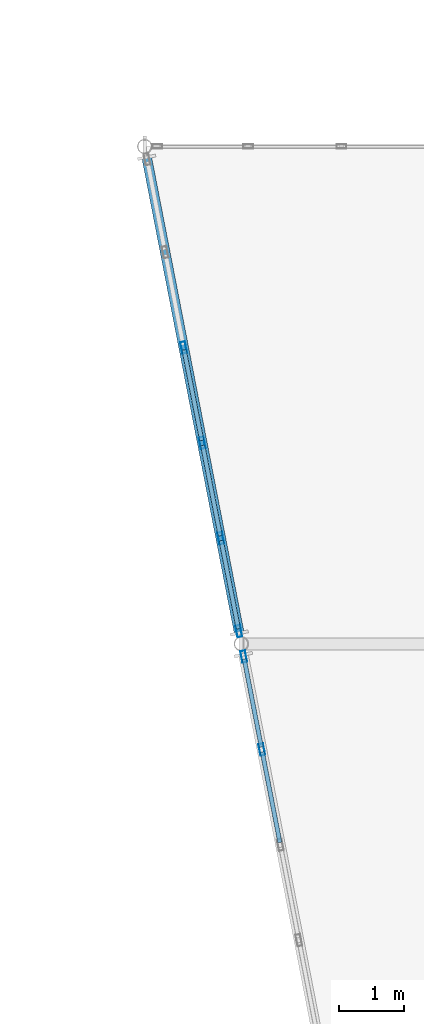
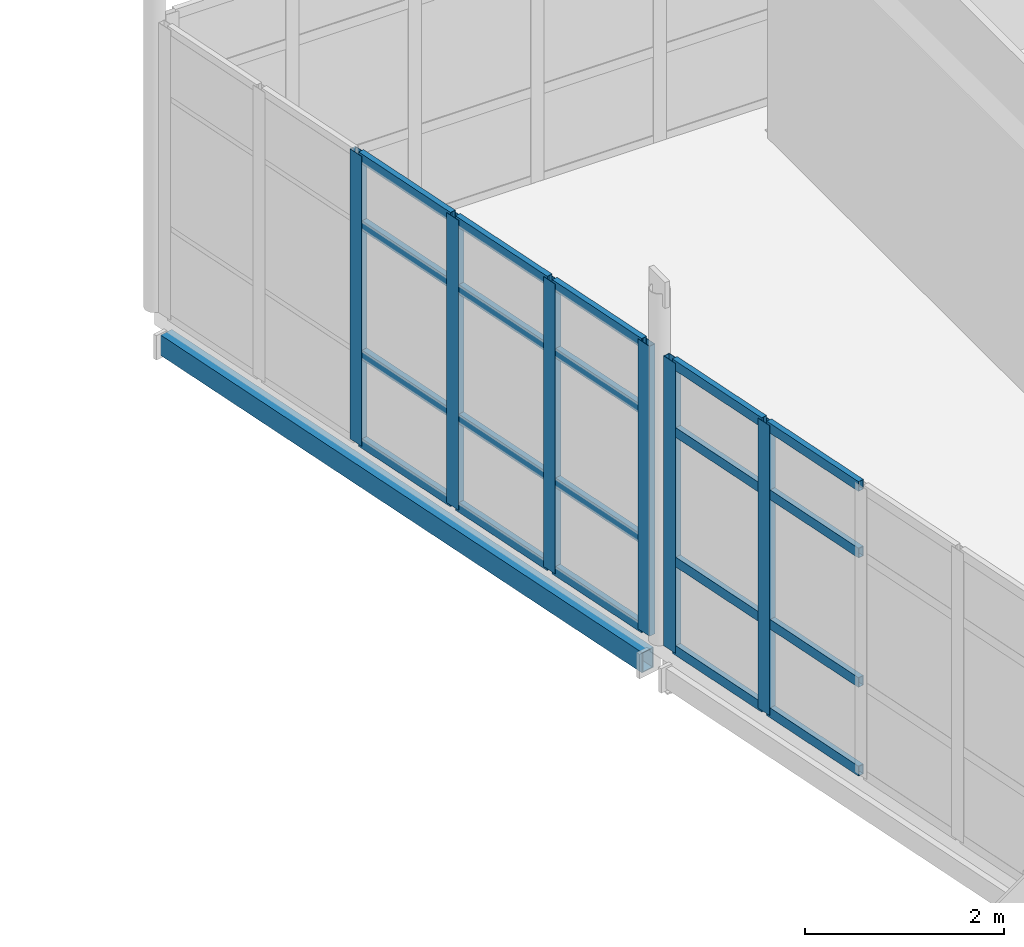
# One storey, part 100 of 166: 26 members, 1 beam, 2 elements without a shape of their own.
"""IFC4 building model written with IfcOpenShell, lengths in metres."""

from ifc_helpers import new_model, si_unit, direction, frame, origin, origin_2d, place, context, subcontext, project, spatial, hollow_rectangle, extrude, material, material_profile, profile_set, type_object, element, aggregate, save


model = new_model("IFC4")

# Units and contexts
model_context = context("Model", 3, precision=1e-05, world=origin(), true_north=direction((0.0, 1.0)))
body_context = subcontext(model_context, "Body", "Model", "MODEL_VIEW")
ifc_project = project(units=[si_unit("LENGTHUNIT", "METRE"), si_unit("AREAUNIT", "SQUARE_METRE"), si_unit("VOLUMEUNIT", "CUBIC_METRE"), si_unit("PLANEANGLEUNIT", "RADIAN"), si_unit("MASSUNIT", "GRAM", prefix="KILO")], contexts=[model_context])

# Site, building, storey
site_placement = place(None, origin())
site = spatial("IfcSite", under=ifc_project, at=site_placement, CompositionType="ELEMENT")
building_placement = place(site_placement, origin())
building = spatial("IfcBuilding", under=site, at=building_placement, Name="Caisbarro Railhouse Central Library", CompositionType="ELEMENT")
storey_placement = place(building_placement, frame((0.0, 0.0, 9.360107421875)))
storey = spatial("IfcBuildingStorey", under=building, at=storey_placement, Name="L02", CompositionType="ELEMENT", Elevation=9.360107421875)

# Beam
ifc_material_1 = material(Name="Steel ASTM A572 Grade 50", Category="steel")
ifc_material_profile_1 = material_profile(ifc_material_1, hollow_rectangle(XDim=0.14990234375, YDim=0.25, WallThickness=0.010009765625, at=origin_2d()), Name="HSS250X150X10")
ifc_profile_set_1 = profile_set([ifc_material_profile_1], Name="Steel ASTM A572 Grade 50")
beam_type = type_object("IfcBeamType", Name="BM-SP03", PredefinedType="SPANDREL", material=ifc_profile_set_1)
beam_placement = place(storey_placement, frame((109.57958984375, 98.976806640625, -0.34521484375), z_axis=(-0.19088559215, 0.981612291442, 0.0), x_axis=(-0.981612291442, -0.19088559215, 0.0)))
element("IfcBeam", 1, at=beam_placement, inside=storey, type_object=beam_type, Name="SP03 beam L02 #1747", PredefinedType="SPANDREL", context=body_context, shape_type="SweptSolid", body=[
    extrude(hollow_rectangle(XDim=0.14990234375, YDim=0.25, WallThickness=0.010009765625, at=origin_2d()), origin(), (0.0, 0.0, 1.0), 7.38232421875),
])

# Curtain wall, members
ifc_material_2 = material(Name="Anodised architectural aluminium", Category="aluminium")
curtain_wall_type = type_object("IfcCurtainWallType", Name="CW-CW02", PredefinedType="NOTDEFINED", material=ifc_material_2)
curtain_wall_1_placement = place(storey_placement, origin())
curtain_wall_1 = element("IfcCurtainWall", 2, at=curtain_wall_1_placement, inside=storey, type_object=curtain_wall_type, Name="CW02 curtain wall L02 #129", PredefinedType="NOTDEFINED")
ifc_material_profile_2 = material_profile(ifc_material_2, hollow_rectangle(XDim=0.074951171875, YDim=0.179931640625, WallThickness=0.00439453125, at=origin_2d()), Name="ALU-MUL-75X180")
ifc_profile_set_2 = profile_set([ifc_material_profile_2], Name="Anodised architectural aluminium")
member_type_1 = type_object("IfcMemberType", Name="CWM-M01", PredefinedType="MULLION", material=ifc_profile_set_2)
member_1_placement = place(storey_placement, frame((109.927734375, 97.185791015625, 0.0), z_axis=(0.0, 0.0, 1.0), x_axis=(-0.981632635401, -0.190780945369, 0.0)))
member_1 = element("IfcMember", 3, at=member_1_placement, type_object=member_type_1, Name="CW02 mullion 5", PredefinedType="MULLION", context=body_context, shape_type="SweptSolid", body=[
    extrude(hollow_rectangle(XDim=0.074951171875, YDim=0.179931640625, WallThickness=0.00439453125, at=origin_2d()), origin(), (0.0, 0.0, 1.0), 3.559814453125),
])
member_2_placement = place(storey_placement, frame((109.651611328125, 98.606201171875, 0.0), z_axis=(0.0, 0.0, 1.0), x_axis=(-0.981632635401, -0.190780945369, 0.0)))
member_2 = element("IfcMember", 4, at=member_2_placement, type_object=member_type_1, Name="CW02 mullion 6", PredefinedType="MULLION", context=body_context, shape_type="SweptSolid", body=[
    extrude(hollow_rectangle(XDim=0.074951171875, YDim=0.179931640625, WallThickness=0.00439453125, at=origin_2d()), origin(), (0.0, 0.0, 1.0), 3.559814453125),
])

curtain_wall_2_placement = place(storey_placement, origin())
curtain_wall_2 = element("IfcCurtainWall", 5, at=curtain_wall_2_placement, inside=storey, type_object=curtain_wall_type, Name="CW02 curtain wall L02 #130", PredefinedType="NOTDEFINED")
member_3_placement = place(storey_placement, frame((109.576416015625, 98.993896484375, 0.0), z_axis=(0.0, 0.0, 1.0), x_axis=(-0.98160739523, -0.190910768765, 0.0)))
member_3 = element("IfcMember", 6, at=member_3_placement, type_object=member_type_1, Name="CW02 mullion 1", PredefinedType="MULLION", context=body_context, shape_type="SweptSolid", body=[
    extrude(hollow_rectangle(XDim=0.074951171875, YDim=0.179931640625, WallThickness=0.00439453125, at=origin_2d()), origin(), (0.0, 0.0, 1.0), 3.559814453125),
])
member_4_placement = place(storey_placement, frame((109.300048828125, 100.414306640625, 0.0), z_axis=(0.0, 0.0, 1.0), x_axis=(-0.98160739523, -0.190910768765, 0.0)))
member_4 = element("IfcMember", 7, at=member_4_placement, type_object=member_type_1, Name="CW02 mullion 2", PredefinedType="MULLION", context=body_context, shape_type="SweptSolid", body=[
    extrude(hollow_rectangle(XDim=0.074951171875, YDim=0.179931640625, WallThickness=0.00439453125, at=origin_2d()), origin(), (0.0, 0.0, 1.0), 3.559814453125),
])
member_5_placement = place(storey_placement, frame((109.0166015625, 101.871337890625, 0.0), z_axis=(0.0, 0.0, 1.0), x_axis=(-0.98160739523, -0.190910768765, 0.0)))
member_5 = element("IfcMember", 8, at=member_5_placement, type_object=member_type_1, Name="CW02 mullion 3", PredefinedType="MULLION", context=body_context, shape_type="SweptSolid", body=[
    extrude(hollow_rectangle(XDim=0.074951171875, YDim=0.179931640625, WallThickness=0.00439453125, at=origin_2d()), origin(), (0.0, 0.0, 1.0), 3.559814453125),
])
member_6_placement = place(storey_placement, frame((108.7333984375, 103.32861328125, 0.0), z_axis=(0.0, 0.0, 1.0), x_axis=(-0.98160739523, -0.190910768765, 0.0)))
member_6 = element("IfcMember", 9, at=member_6_placement, type_object=member_type_1, Name="CW02 mullion 4", PredefinedType="MULLION", context=body_context, shape_type="SweptSolid", body=[
    extrude(hollow_rectangle(XDim=0.074951171875, YDim=0.179931640625, WallThickness=0.00439453125, at=origin_2d()), origin(), (0.0, 0.0, 1.0), 3.559814453125),
])

# Member
ifc_material_profile_3 = material_profile(ifc_material_2, hollow_rectangle(XDim=0.06494140625, YDim=0.1201171875, WallThickness=0.00341796875, at=origin_2d()), Name="ALU-TRN-65X120")
ifc_profile_set_3 = profile_set([ifc_material_profile_3], Name="Anodised architectural aluminium")
member_type_2 = type_object("IfcMemberType", Name="CWT-T02", PredefinedType="USERDEFINED", material=ifc_profile_set_3)
member_7_placement = place(storey_placement, frame((110.203857421875, 95.765380859375, 0.032470703125), z_axis=(-0.190883567843, 0.981612685089, 0.0), x_axis=(-0.981612685089, -0.190883567843, 0.0)))
member_7 = element("IfcMember", 10, at=member_7_placement, type_object=member_type_2, Name="CW02 transom 4.1", ObjectType="TRANSOM", PredefinedType="USERDEFINED", context=body_context, shape_type="SweptSolid", body=[
    extrude(hollow_rectangle(XDim=0.06494140625, YDim=0.1201171875, WallThickness=0.00341796875, at=origin_2d()), origin(), (0.0, 0.0, 1.0), 1.409423828125),
])

member_8_placement = place(storey_placement, frame((110.203857421875, 95.765380859375, 1.119873046875), z_axis=(-0.190883567843, 0.981612685089, 0.0), x_axis=(-0.981612685089, -0.190883567843, 0.0)))
member_8 = element("IfcMember", 11, at=member_8_placement, type_object=member_type_2, Name="CW02 transom 4.2", ObjectType="TRANSOM", PredefinedType="USERDEFINED", context=body_context, shape_type="SweptSolid", body=[
    extrude(hollow_rectangle(XDim=0.06494140625, YDim=0.1201171875, WallThickness=0.00341796875, at=origin_2d()), origin(), (0.0, 0.0, 1.0), 1.409423828125),
])

member_9_placement = place(storey_placement, frame((110.203857421875, 95.765380859375, 2.7099609375), z_axis=(-0.190883567843, 0.981612685089, 0.0), x_axis=(-0.981612685089, -0.190883567843, 0.0)))
member_9 = element("IfcMember", 12, at=member_9_placement, type_object=member_type_2, Name="CW02 transom 4.3", ObjectType="TRANSOM", PredefinedType="USERDEFINED", context=body_context, shape_type="SweptSolid", body=[
    extrude(hollow_rectangle(XDim=0.06494140625, YDim=0.1201171875, WallThickness=0.00341796875, at=origin_2d()), origin(), (0.0, 0.0, 1.0), 1.409423828125),
])

member_10_placement = place(storey_placement, frame((110.203857421875, 95.765380859375, 3.52734375), z_axis=(-0.190883567843, 0.981612685089, 0.0), x_axis=(-0.981612685089, -0.190883567843, 0.0)))
member_10 = element("IfcMember", 13, at=member_10_placement, type_object=member_type_2, Name="CW02 transom 4.4", ObjectType="TRANSOM", PredefinedType="USERDEFINED", context=body_context, shape_type="SweptSolid", body=[
    extrude(hollow_rectangle(XDim=0.06494140625, YDim=0.1201171875, WallThickness=0.00341796875, at=origin_2d()), origin(), (0.0, 0.0, 1.0), 1.409423828125),
])

member_11_placement = place(storey_placement, frame((109.920654296875, 97.22265625, 0.032470703125), z_axis=(-0.190945868313, 0.981600568141, 0.0), x_axis=(-0.981600568141, -0.190945868313, 0.0)))
member_11 = element("IfcMember", 14, at=member_11_placement, type_object=member_type_2, Name="CW02 transom 5.1", ObjectType="TRANSOM", PredefinedType="USERDEFINED", context=body_context, shape_type="SweptSolid", body=[
    extrude(hollow_rectangle(XDim=0.06494140625, YDim=0.1201171875, WallThickness=0.00341796875, at=origin_2d()), origin(), (0.0, 0.0, 1.0), 1.371826171875),
])

member_12_placement = place(storey_placement, frame((109.920654296875, 97.22265625, 1.119873046875), z_axis=(-0.190945868313, 0.981600568141, 0.0), x_axis=(-0.981600568141, -0.190945868313, 0.0)))
member_12 = element("IfcMember", 15, at=member_12_placement, type_object=member_type_2, Name="CW02 transom 5.2", ObjectType="TRANSOM", PredefinedType="USERDEFINED", context=body_context, shape_type="SweptSolid", body=[
    extrude(hollow_rectangle(XDim=0.06494140625, YDim=0.1201171875, WallThickness=0.00341796875, at=origin_2d()), origin(), (0.0, 0.0, 1.0), 1.371826171875),
])

member_13_placement = place(storey_placement, frame((109.920654296875, 97.22265625, 2.7099609375), z_axis=(-0.190945868313, 0.981600568141, 0.0), x_axis=(-0.981600568141, -0.190945868313, 0.0)))
member_13 = element("IfcMember", 16, at=member_13_placement, type_object=member_type_2, Name="CW02 transom 5.3", ObjectType="TRANSOM", PredefinedType="USERDEFINED", context=body_context, shape_type="SweptSolid", body=[
    extrude(hollow_rectangle(XDim=0.06494140625, YDim=0.1201171875, WallThickness=0.00341796875, at=origin_2d()), origin(), (0.0, 0.0, 1.0), 1.371826171875),
])

member_14_placement = place(storey_placement, frame((109.920654296875, 97.22265625, 3.52734375), z_axis=(-0.190945868313, 0.981600568141, 0.0), x_axis=(-0.981600568141, -0.190945868313, 0.0)))
member_14 = element("IfcMember", 17, at=member_14_placement, type_object=member_type_2, Name="CW02 transom 5.4", ObjectType="TRANSOM", PredefinedType="USERDEFINED", context=body_context, shape_type="SweptSolid", body=[
    extrude(hollow_rectangle(XDim=0.06494140625, YDim=0.1201171875, WallThickness=0.00341796875, at=origin_2d()), origin(), (0.0, 0.0, 1.0), 1.371826171875),
])

aggregate(curtain_wall_1, [member_1, member_2, member_7, member_8, member_9, member_10, member_11, member_12, member_13, member_14])

member_15_placement = place(storey_placement, frame((109.569091796875, 99.03076171875, 0.032470703125), z_axis=(-0.190774392735, 0.981633908887, 0.0), x_axis=(-0.981633908887, -0.190774392735, 0.0)))
member_15 = element("IfcMember", 18, at=member_15_placement, type_object=member_type_2, Name="CW02 transom 1.1", ObjectType="TRANSOM", PredefinedType="USERDEFINED", context=body_context, shape_type="SweptSolid", body=[
    extrude(hollow_rectangle(XDim=0.06494140625, YDim=0.1201171875, WallThickness=0.00341796875, at=origin_2d()), origin(), (0.0, 0.0, 1.0), 1.371826171875),
])

member_16_placement = place(storey_placement, frame((109.569091796875, 99.03076171875, 1.119873046875), z_axis=(-0.190774392735, 0.981633908887, 0.0), x_axis=(-0.981633908887, -0.190774392735, 0.0)))
member_16 = element("IfcMember", 19, at=member_16_placement, type_object=member_type_2, Name="CW02 transom 1.2", ObjectType="TRANSOM", PredefinedType="USERDEFINED", context=body_context, shape_type="SweptSolid", body=[
    extrude(hollow_rectangle(XDim=0.06494140625, YDim=0.1201171875, WallThickness=0.00341796875, at=origin_2d()), origin(), (0.0, 0.0, 1.0), 1.371826171875),
])

member_17_placement = place(storey_placement, frame((109.569091796875, 99.03076171875, 2.7099609375), z_axis=(-0.190774392735, 0.981633908887, 0.0), x_axis=(-0.981633908887, -0.190774392735, 0.0)))
member_17 = element("IfcMember", 20, at=member_17_placement, type_object=member_type_2, Name="CW02 transom 1.3", ObjectType="TRANSOM", PredefinedType="USERDEFINED", context=body_context, shape_type="SweptSolid", body=[
    extrude(hollow_rectangle(XDim=0.06494140625, YDim=0.1201171875, WallThickness=0.00341796875, at=origin_2d()), origin(), (0.0, 0.0, 1.0), 1.371826171875),
])

member_18_placement = place(storey_placement, frame((109.569091796875, 99.03076171875, 3.52734375), z_axis=(-0.190774392735, 0.981633908887, 0.0), x_axis=(-0.981633908887, -0.190774392735, 0.0)))
member_18 = element("IfcMember", 21, at=member_18_placement, type_object=member_type_2, Name="CW02 transom 1.4", ObjectType="TRANSOM", PredefinedType="USERDEFINED", context=body_context, shape_type="SweptSolid", body=[
    extrude(hollow_rectangle(XDim=0.06494140625, YDim=0.1201171875, WallThickness=0.00341796875, at=origin_2d()), origin(), (0.0, 0.0, 1.0), 1.371826171875),
])

member_19_placement = place(storey_placement, frame((109.29296875, 100.451171875, 0.032470703125), z_axis=(-0.190883567843, 0.981612685089, 0.0), x_axis=(-0.981612685089, -0.190883567843, 0.0)))
member_19 = element("IfcMember", 22, at=member_19_placement, type_object=member_type_2, Name="CW02 transom 2.1", ObjectType="TRANSOM", PredefinedType="USERDEFINED", context=body_context, shape_type="SweptSolid", body=[
    extrude(hollow_rectangle(XDim=0.06494140625, YDim=0.1201171875, WallThickness=0.00341796875, at=origin_2d()), origin(), (0.0, 0.0, 1.0), 1.409423828125),
])

member_20_placement = place(storey_placement, frame((109.29296875, 100.451171875, 1.119873046875), z_axis=(-0.190883567843, 0.981612685089, 0.0), x_axis=(-0.981612685089, -0.190883567843, 0.0)))
member_20 = element("IfcMember", 23, at=member_20_placement, type_object=member_type_2, Name="CW02 transom 2.2", ObjectType="TRANSOM", PredefinedType="USERDEFINED", context=body_context, shape_type="SweptSolid", body=[
    extrude(hollow_rectangle(XDim=0.06494140625, YDim=0.1201171875, WallThickness=0.00341796875, at=origin_2d()), origin(), (0.0, 0.0, 1.0), 1.409423828125),
])

member_21_placement = place(storey_placement, frame((109.29296875, 100.451171875, 2.7099609375), z_axis=(-0.190883567843, 0.981612685089, 0.0), x_axis=(-0.981612685089, -0.190883567843, 0.0)))
member_21 = element("IfcMember", 24, at=member_21_placement, type_object=member_type_2, Name="CW02 transom 2.3", ObjectType="TRANSOM", PredefinedType="USERDEFINED", context=body_context, shape_type="SweptSolid", body=[
    extrude(hollow_rectangle(XDim=0.06494140625, YDim=0.1201171875, WallThickness=0.00341796875, at=origin_2d()), origin(), (0.0, 0.0, 1.0), 1.409423828125),
])

member_22_placement = place(storey_placement, frame((109.29296875, 100.451171875, 3.52734375), z_axis=(-0.190883567843, 0.981612685089, 0.0), x_axis=(-0.981612685089, -0.190883567843, 0.0)))
member_22 = element("IfcMember", 25, at=member_22_placement, type_object=member_type_2, Name="CW02 transom 2.4", ObjectType="TRANSOM", PredefinedType="USERDEFINED", context=body_context, shape_type="SweptSolid", body=[
    extrude(hollow_rectangle(XDim=0.06494140625, YDim=0.1201171875, WallThickness=0.00341796875, at=origin_2d()), origin(), (0.0, 0.0, 1.0), 1.409423828125),
])

member_23_placement = place(storey_placement, frame((109.009521484375, 101.908203125, 0.032470703125), z_axis=(-0.190883567843, 0.981612685089, 0.0), x_axis=(-0.981612685089, -0.190883567843, 0.0)))
member_23 = element("IfcMember", 26, at=member_23_placement, type_object=member_type_2, Name="CW02 transom 3.1", ObjectType="TRANSOM", PredefinedType="USERDEFINED", context=body_context, shape_type="SweptSolid", body=[
    extrude(hollow_rectangle(XDim=0.06494140625, YDim=0.1201171875, WallThickness=0.00341796875, at=origin_2d()), origin(), (0.0, 0.0, 1.0), 1.409423828125),
])

member_24_placement = place(storey_placement, frame((109.009521484375, 101.908203125, 1.119873046875), z_axis=(-0.190883567843, 0.981612685089, 0.0), x_axis=(-0.981612685089, -0.190883567843, 0.0)))
member_24 = element("IfcMember", 27, at=member_24_placement, type_object=member_type_2, Name="CW02 transom 3.2", ObjectType="TRANSOM", PredefinedType="USERDEFINED", context=body_context, shape_type="SweptSolid", body=[
    extrude(hollow_rectangle(XDim=0.06494140625, YDim=0.1201171875, WallThickness=0.00341796875, at=origin_2d()), origin(), (0.0, 0.0, 1.0), 1.409423828125),
])

member_25_placement = place(storey_placement, frame((109.009521484375, 101.908203125, 2.7099609375), z_axis=(-0.190883567843, 0.981612685089, 0.0), x_axis=(-0.981612685089, -0.190883567843, 0.0)))
member_25 = element("IfcMember", 28, at=member_25_placement, type_object=member_type_2, Name="CW02 transom 3.3", ObjectType="TRANSOM", PredefinedType="USERDEFINED", context=body_context, shape_type="SweptSolid", body=[
    extrude(hollow_rectangle(XDim=0.06494140625, YDim=0.1201171875, WallThickness=0.00341796875, at=origin_2d()), origin(), (0.0, 0.0, 1.0), 1.409423828125),
])

member_26_placement = place(storey_placement, frame((109.009521484375, 101.908203125, 3.52734375), z_axis=(-0.190883567843, 0.981612685089, 0.0), x_axis=(-0.981612685089, -0.190883567843, 0.0)))
member_26 = element("IfcMember", 29, at=member_26_placement, type_object=member_type_2, Name="CW02 transom 3.4", ObjectType="TRANSOM", PredefinedType="USERDEFINED", context=body_context, shape_type="SweptSolid", body=[
    extrude(hollow_rectangle(XDim=0.06494140625, YDim=0.1201171875, WallThickness=0.00341796875, at=origin_2d()), origin(), (0.0, 0.0, 1.0), 1.409423828125),
])

aggregate(curtain_wall_2, [member_3, member_4, member_5, member_6, member_15, member_16, member_17, member_18, member_19, member_20, member_21, member_22, member_23, member_24, member_25, member_26])

save(model, "model.ifc")
